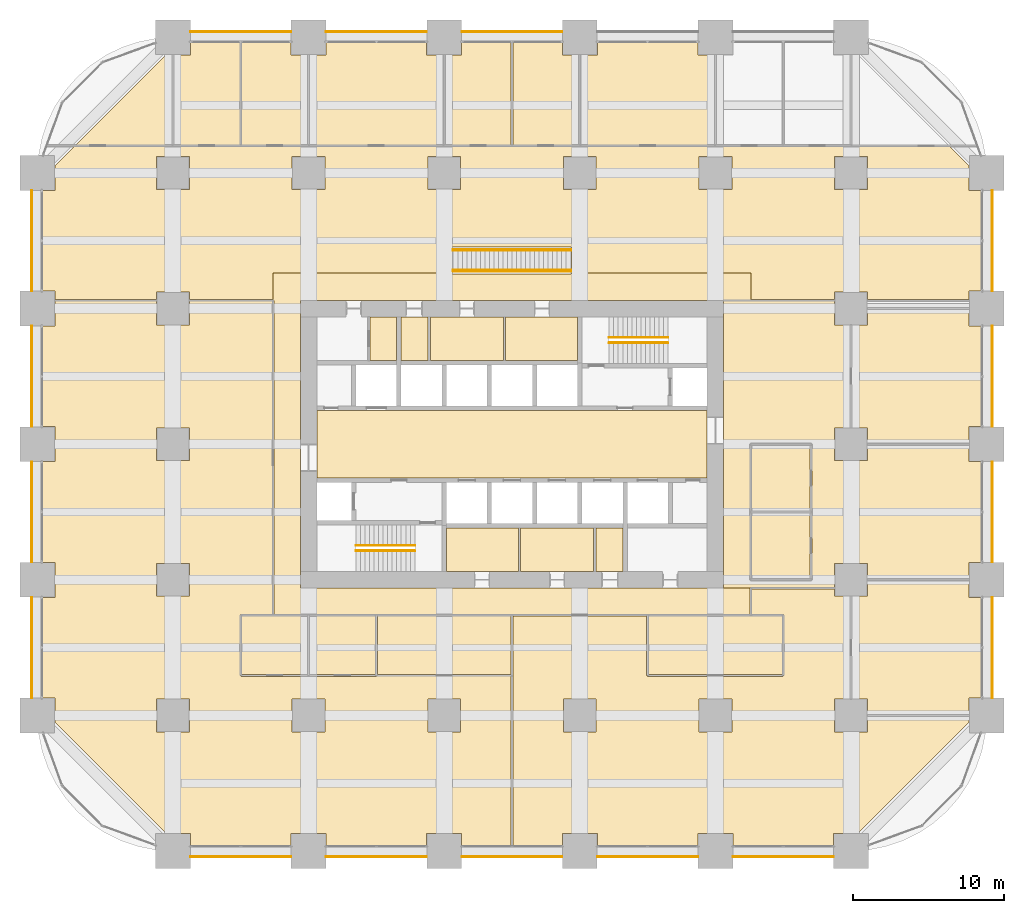
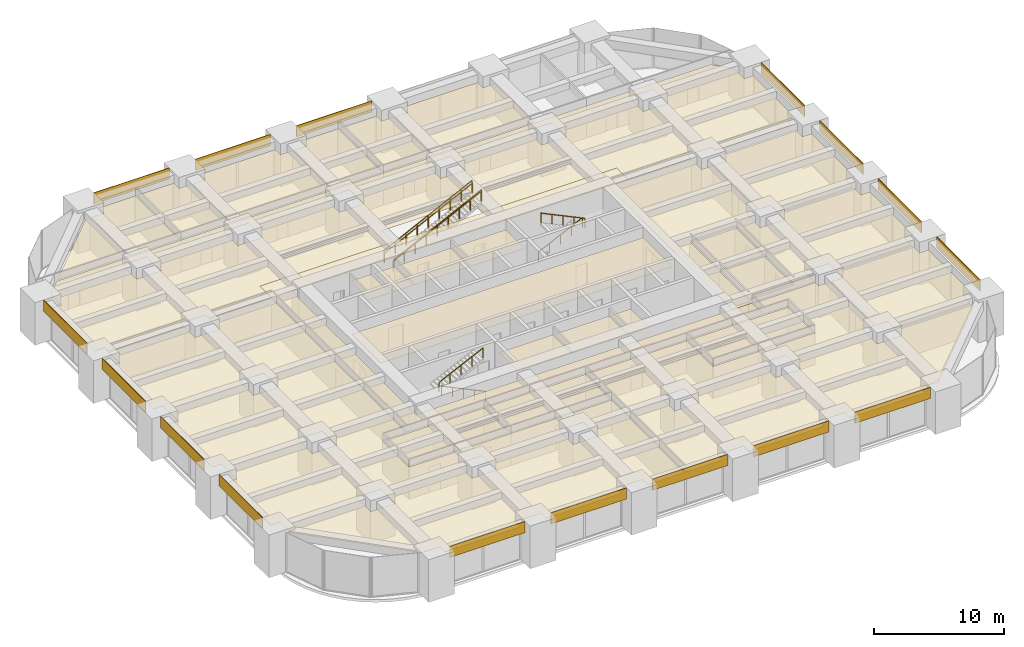
# One storey, part 43 of 44: 44 coverings, 8 railings.
"""IFC4 building model written with IfcOpenShell, lengths in metres."""

from ifc_helpers import new_model, si_unit, direction, frame, frame_2d, origin, origin_2d, place, context, subcontext, project, spatial, polyline, rectangle, circle, outline, extrude, material, layer, layer_set, type_object, element, save


model = new_model("IFC4")

# Units and contexts
model_context = context("Model", 3, precision=1e-05, world=origin(), true_north=direction((0.0, 1.0)))
body_context = subcontext(model_context, "Body", "Model", "MODEL_VIEW")
ifc_project = project(units=[si_unit("LENGTHUNIT", "METRE"), si_unit("AREAUNIT", "SQUARE_METRE"), si_unit("VOLUMEUNIT", "CUBIC_METRE"), si_unit("PLANEANGLEUNIT", "RADIAN"), si_unit("MASSUNIT", "GRAM", prefix="KILO")], contexts=[model_context])

# Site, building, storey
site_placement = place(None, origin())
site = spatial("IfcSite", under=ifc_project, at=site_placement, CompositionType="ELEMENT")
building_placement = place(site_placement, origin())
building = spatial("IfcBuilding", under=site, at=building_placement, Name="Zorevar Civic Tower", CompositionType="ELEMENT")
storey_placement = place(building_placement, frame((0.0, 0.0, 59.800048828125)))
storey = spatial("IfcBuildingStorey", under=building, at=storey_placement, Name="L14", CompositionType="ELEMENT", Elevation=59.800048828125)

# Railings
ifc_material_1 = material(Name="Laminated glass balustrade with black steel handrail", Category="steel")
railing_type_1 = type_object("IfcRailingType", Name="Balustrade BL1 1100", PredefinedType="BALUSTRADE", material=ifc_material_1)
for number, where, name in (
    (1, (27.60009765625, 38.47998046875, 0.148193359375), "Balustrade BL1 interconnecting stair L14"),
    (2, (27.60009765625, 39.919921875, 0.148193359375), "Balustrade BL1 interconnecting stair L14"),
):
    element("IfcRailing", number, at=place(storey_placement, frame(where)), inside=storey, type_object=railing_type_1, Name=name, PredefinedType="BALUSTRADE", context=body_context, shape_type="SweptSolid", body=[
        extrude(circle(Radius=0.02392578125, at=origin_2d()), frame((0.0, 0.0, 1.076171875), z_axis=(0.896627794226, 0.0, 0.442785047875), x_axis=(0.0, 1.0, 0.0)), (0.0, 0.0, 1.0), 8.698974609375),
        extrude(circle(Radius=0.02099609375, at=origin_2d()), origin(), (0.0, 0.0, 1.0), 1.052001953125),
        extrude(circle(Radius=0.02099609375, at=origin_2d()), frame((0.97509765625, 0.0, 0.4814453125)), (0.0, 0.0, 1.0), 1.052001953125),
        extrude(circle(Radius=0.02099609375, at=origin_2d()), frame((1.949951171875, 0.0, 0.962890625)), (0.0, 0.0, 1.0), 1.052001953125),
        extrude(circle(Radius=0.02099609375, at=origin_2d()), frame((2.9248046875, 0.0, 1.4443359375)), (0.0, 0.0, 1.0), 1.052001953125),
        extrude(circle(Radius=0.02099609375, at=origin_2d()), frame((3.89990234375, 0.0, 1.92578125)), (0.0, 0.0, 1.0), 1.052001953125),
        extrude(circle(Radius=0.02099609375, at=origin_2d()), frame((4.875, 0.0, 2.407470703125)), (0.0, 0.0, 1.0), 1.052001953125),
        extrude(circle(Radius=0.02099609375, at=origin_2d()), frame((5.849853515625, 0.0, 2.888916015625)), (0.0, 0.0, 1.0), 1.052001953125),
        extrude(circle(Radius=0.02099609375, at=origin_2d()), frame((6.82470703125, 0.0, 3.370361328125)), (0.0, 0.0, 1.0), 1.052001953125),
        extrude(circle(Radius=0.02099609375, at=origin_2d()), frame((7.7998046875, 0.0, 3.851806640625)), (0.0, 0.0, 1.0), 1.052001953125),
    ])
ifc_material_2 = material(Name="Black steel handrail", Category="steel")
railing_type_2 = type_object("IfcRailingType", Name="Handrail HR1 900", PredefinedType="HANDRAIL", material=ifc_material_2)
railing_1_placement = place(storey_placement, frame((25.050048828125, 19.925048828125, 0.142822265625)))
element("IfcRailing", 3, at=railing_1_placement, inside=storey, type_object=railing_type_2, Name="Handrail HR1 ST1 L14", PredefinedType="HANDRAIL", context=body_context, shape_type="SweptSolid", body=[
    extrude(circle(Radius=0.02392578125, at=origin_2d()), frame((0.0, 0.0, 0.8759765625), z_axis=(-0.902863652845, 0.0, 0.429926998885), x_axis=(0.0, -1.0, 0.0)), (0.0, 0.0, 1.0), 4.31982421875),
    extrude(circle(Radius=0.02099609375, at=origin_2d()), origin(), (0.0, 0.0, 1.0), 0.851806640625),
    extrude(circle(Radius=0.02099609375, at=origin_2d()), frame((-0.97509765625, 0.0, 0.46435546875)), (0.0, 0.0, 1.0), 0.851806640625),
    extrude(circle(Radius=0.02099609375, at=origin_2d()), frame((-1.9501953125, 0.0, 0.9287109375)), (0.0, 0.0, 1.0), 0.851806640625),
    extrude(circle(Radius=0.02099609375, at=origin_2d()), frame((-2.925048828125, 0.0, 1.392822265625)), (0.0, 0.0, 1.0), 0.851806640625),
    extrude(circle(Radius=0.02099609375, at=origin_2d()), frame((-3.900146484375, 0.0, 1.857177734375)), (0.0, 0.0, 1.0), 0.851806640625),
])
for number, where, name in (
    (4, (21.14990234375, 20.27490234375, 2.142822265625), "Handrail HR1 ST1 L14"),
    (5, (37.949951171875, 34.074951171875, 0.142822265625), "Handrail HR1 ST2 L14"),
):
    element("IfcRailing", number, at=place(storey_placement, frame(where)), inside=storey, type_object=railing_type_2, Name=name, PredefinedType="HANDRAIL", context=body_context, shape_type="SweptSolid", body=[
        extrude(circle(Radius=0.02392578125, at=origin_2d()), frame((0.0, 0.0, 0.8759765625), z_axis=(0.902863652845, 0.0, 0.429926998885), x_axis=(0.0, 1.0, 0.0)), (0.0, 0.0, 1.0), 4.31982421875),
        extrude(circle(Radius=0.02099609375, at=origin_2d()), origin(), (0.0, 0.0, 1.0), 0.851806640625),
        extrude(circle(Radius=0.02099609375, at=origin_2d()), frame((0.97509765625, 0.0, 0.46435546875)), (0.0, 0.0, 1.0), 0.851806640625),
        extrude(circle(Radius=0.02099609375, at=origin_2d()), frame((1.9501953125, 0.0, 0.9287109375)), (0.0, 0.0, 1.0), 0.851806640625),
        extrude(circle(Radius=0.02099609375, at=origin_2d()), frame((2.925048828125, 0.0, 1.392822265625)), (0.0, 0.0, 1.0), 0.851806640625),
        extrude(circle(Radius=0.02099609375, at=origin_2d()), frame((3.900146484375, 0.0, 1.857177734375)), (0.0, 0.0, 1.0), 0.851806640625),
    ])
railing_2_placement = place(storey_placement, frame((41.85009765625, 33.72509765625, 2.142822265625)))
element("IfcRailing", 6, at=railing_2_placement, inside=storey, type_object=railing_type_2, Name="Handrail HR1 ST2 L14", PredefinedType="HANDRAIL", context=body_context, shape_type="SweptSolid", body=[
    extrude(circle(Radius=0.02392578125, at=origin_2d()), frame((0.0, 0.0, 0.8759765625), z_axis=(-0.902863652845, 0.0, 0.429926998885), x_axis=(0.0, -1.0, 0.0)), (0.0, 0.0, 1.0), 4.31982421875),
    extrude(circle(Radius=0.02099609375, at=origin_2d()), origin(), (0.0, 0.0, 1.0), 0.851806640625),
    extrude(circle(Radius=0.02099609375, at=origin_2d()), frame((-0.97509765625, 0.0, 0.46435546875)), (0.0, 0.0, 1.0), 0.851806640625),
    extrude(circle(Radius=0.02099609375, at=origin_2d()), frame((-1.9501953125, 0.0, 0.9287109375)), (0.0, 0.0, 1.0), 0.851806640625),
    extrude(circle(Radius=0.02099609375, at=origin_2d()), frame((-2.925048828125, 0.0, 1.392822265625)), (0.0, 0.0, 1.0), 0.851806640625),
    extrude(circle(Radius=0.02099609375, at=origin_2d()), frame((-3.900146484375, 0.0, 1.857177734375)), (0.0, 0.0, 1.0), 0.851806640625),
])
for number, where, name in (
    (7, (27.60009765625, 38.550048828125, 0.148193359375), "Handrail HR1 interconnecting stair L14"),
    (8, (27.60009765625, 39.85009765625, 0.148193359375), "Handrail HR1 interconnecting stair L14"),
):
    element("IfcRailing", number, at=place(storey_placement, frame(where)), inside=storey, type_object=railing_type_2, Name=name, PredefinedType="HANDRAIL", context=body_context, shape_type="SweptSolid", body=[
        extrude(circle(Radius=0.02392578125, at=origin_2d()), frame((0.0, 0.0, 0.8759765625), z_axis=(0.896627794226, 0.0, 0.442785047875), x_axis=(0.0, 1.0, 0.0)), (0.0, 0.0, 1.0), 8.698974609375),
        extrude(circle(Radius=0.02099609375, at=origin_2d()), origin(), (0.0, 0.0, 1.0), 0.851806640625),
        extrude(circle(Radius=0.02099609375, at=origin_2d()), frame((0.97509765625, 0.0, 0.4814453125)), (0.0, 0.0, 1.0), 0.851806640625),
        extrude(circle(Radius=0.02099609375, at=origin_2d()), frame((1.949951171875, 0.0, 0.962890625)), (0.0, 0.0, 1.0), 0.851806640625),
        extrude(circle(Radius=0.02099609375, at=origin_2d()), frame((2.9248046875, 0.0, 1.4443359375)), (0.0, 0.0, 1.0), 0.851806640625),
        extrude(circle(Radius=0.02099609375, at=origin_2d()), frame((3.89990234375, 0.0, 1.92578125)), (0.0, 0.0, 1.0), 0.851806640625),
        extrude(circle(Radius=0.02099609375, at=origin_2d()), frame((4.875, 0.0, 2.407470703125)), (0.0, 0.0, 1.0), 0.851806640625),
        extrude(circle(Radius=0.02099609375, at=origin_2d()), frame((5.849853515625, 0.0, 2.888916015625)), (0.0, 0.0, 1.0), 0.851806640625),
        extrude(circle(Radius=0.02099609375, at=origin_2d()), frame((6.82470703125, 0.0, 3.370361328125)), (0.0, 0.0, 1.0), 0.851806640625),
        extrude(circle(Radius=0.02099609375, at=origin_2d()), frame((7.7998046875, 0.0, 3.851806640625)), (0.0, 0.0, 1.0), 0.851806640625),
    ])

# Coverings
ifc_material_3 = material(Name="Moisture-resistant gypsum board")
ifc_layer_1 = layer(ifc_material_3, 0.012451171875)
ifc_layer_set_1 = layer_set([ifc_layer_1], Name="Moisture-resistant ceiling SC3")
covering_type_1 = type_object("IfcCoveringType", Name="Moisture-resistant ceiling SC3", PredefinedType="CEILING", material=ifc_layer_set_1)
covering_1_placement = place(storey_placement, frame((0.0, 0.0, 3.0)))
element("IfcCovering", 9, at=covering_1_placement, inside=storey, type_object=covering_type_1, Name="Ceiling L14-05", PredefinedType="CEILING", context=body_context, shape_type="SweptSolid", body=[
    extrude(outline(polyline([(31.925048828125, 18.550048828125), (31.925048828125, 21.449951171875), (27.14990234375, 21.449951171875), (27.14990234375, 18.550048828125), (31.925048828125, 18.550048828125)])), origin(), (0.0, 0.0, 1.0), 0.012451171875),
])
covering_2_placement = place(storey_placement, frame((0.0, 0.0, 3.0)))
element("IfcCovering", 10, at=covering_2_placement, inside=storey, type_object=covering_type_1, Name="Ceiling L14-06", PredefinedType="CEILING", context=body_context, shape_type="SweptSolid", body=[
    extrude(outline(polyline([(36.925048828125, 18.550048828125), (36.925048828125, 21.449951171875), (32.074951171875, 21.449951171875), (32.074951171875, 18.550048828125), (36.925048828125, 18.550048828125)])), origin(), (0.0, 0.0, 1.0), 0.012451171875),
])
covering_3_placement = place(storey_placement, frame((0.0, 0.0, 3.0)))
element("IfcCovering", 11, at=covering_3_placement, inside=storey, type_object=covering_type_1, Name="Ceiling L14-07", PredefinedType="CEILING", context=body_context, shape_type="SweptSolid", body=[
    extrude(outline(polyline([(38.85009765625, 18.550048828125), (38.85009765625, 21.449951171875), (37.074951171875, 21.449951171875), (37.074951171875, 18.550048828125), (38.85009765625, 18.550048828125)])), origin(), (0.0, 0.0, 1.0), 0.012451171875),
])
covering_4_placement = place(storey_placement, frame((0.0, 0.0, 3.0)))
element("IfcCovering", 12, at=covering_4_placement, inside=storey, type_object=covering_type_1, Name="Ceiling L14-08", PredefinedType="CEILING", context=body_context, shape_type="SweptSolid", body=[
    extrude(outline(polyline([(35.85009765625, 32.550048828125), (35.85009765625, 35.449951171875), (31.074951171875, 35.449951171875), (31.074951171875, 32.550048828125), (35.85009765625, 32.550048828125)])), origin(), (0.0, 0.0, 1.0), 0.012451171875),
])
covering_5_placement = place(storey_placement, frame((0.0, 0.0, 3.0)))
element("IfcCovering", 13, at=covering_5_placement, inside=storey, type_object=covering_type_1, Name="Ceiling L14-09", PredefinedType="CEILING", context=body_context, shape_type="SweptSolid", body=[
    extrude(outline(polyline([(30.925048828125, 32.550048828125), (30.925048828125, 35.449951171875), (26.074951171875, 35.449951171875), (26.074951171875, 32.550048828125), (30.925048828125, 32.550048828125)])), origin(), (0.0, 0.0, 1.0), 0.012451171875),
])
covering_6_placement = place(storey_placement, frame((0.0, 0.0, 3.0)))
element("IfcCovering", 14, at=covering_6_placement, inside=storey, type_object=covering_type_1, Name="Ceiling L14-10", PredefinedType="CEILING", context=body_context, shape_type="SweptSolid", body=[
    extrude(outline(polyline([(25.925048828125, 32.550048828125), (25.925048828125, 35.449951171875), (24.14990234375, 35.449951171875), (24.14990234375, 32.550048828125), (25.925048828125, 32.550048828125)])), origin(), (0.0, 0.0, 1.0), 0.012451171875),
])
ifc_material_4 = material(Name="Black anodised aluminium spandrel panel", Category="aluminium")
ifc_layer_2 = layer(ifc_material_4, 0.050048828125)
ifc_layer_set_2 = layer_set([ifc_layer_2], Name="Spandrel cladding SP1")
covering_type_2 = type_object("IfcCoveringType", Name="Spandrel cladding SP1", PredefinedType="CLADDING", material=ifc_layer_set_2)
for number, where, z_axis, x_axis, name in (
    (15, (10.14990234375, -0.375, 2.949951171875), (0.0, 0.0, 1.0), (1.0, 0.0, 0.0), "Spandrel cladding L15"),
    (16, (19.14990234375, -0.375, 2.949951171875), (0.0, 0.0, 1.0), (1.0, 0.0, 0.0), "Spandrel cladding L15"),
    (17, (28.14990234375, -0.375, 2.949951171875), (0.0, 0.0, 1.0), (1.0, 0.0, 0.0), "Spandrel cladding L15"),
    (18, (37.14990234375, -0.375, 2.949951171875), (0.0, 0.0, 1.0), (1.0, 0.0, 0.0), "Spandrel cladding L15"),
    (19, (46.14990234375, -0.375, 2.949951171875), (0.0, 0.0, 1.0), (1.0, 0.0, 0.0), "Spandrel cladding L15"),
    (20, (10.14990234375, 54.375, 2.949951171875), (0.0, 0.0, 1.0), (1.0, 0.0, 0.0), "Spandrel cladding L15"),
    (21, (19.14990234375, 54.375, 2.949951171875), (0.0, 0.0, 1.0), (1.0, 0.0, 0.0), "Spandrel cladding L15"),
    (22, (28.14990234375, 54.375, 2.949951171875), (0.0, 0.0, 1.0), (1.0, 0.0, 0.0), "Spandrel cladding L15"),
    (23, (-0.375, 10.14990234375, 2.949951171875), (0.0, 0.0, 1.0), (0.0, 1.0, 0.0), "Spandrel cladding L15"),
    (24, (-0.375, 19.14990234375, 2.949951171875), (0.0, 0.0, 1.0), (0.0, 1.0, 0.0), "Spandrel cladding L15"),
    (25, (-0.375, 28.14990234375, 2.949951171875), (0.0, 0.0, 1.0), (0.0, 1.0, 0.0), "Spandrel cladding L15"),
    (26, (-0.375, 37.14990234375, 2.949951171875), (0.0, 0.0, 1.0), (0.0, 1.0, 0.0), "Spandrel cladding L15"),
    (27, (63.375, 10.14990234375, 2.949951171875), (0.0, 0.0, 1.0), (0.0, 1.0, 0.0), "Spandrel cladding L15"),
    (28, (63.375, 19.14990234375, 2.949951171875), (0.0, 0.0, 1.0), (0.0, 1.0, 0.0), "Spandrel cladding L15"),
    (29, (63.375, 28.14990234375, 2.949951171875), (0.0, 0.0, 1.0), (0.0, 1.0, 0.0), "Spandrel cladding L15"),
    (30, (63.375, 37.14990234375, 2.949951171875), (0.0, 0.0, 1.0), (0.0, 1.0, 0.0), "Spandrel cladding L15"),
):
    element("IfcCovering", number, at=place(storey_placement, frame(where, z_axis=z_axis, x_axis=x_axis)), inside=storey, type_object=covering_type_2, Name=name, PredefinedType="CLADDING", context=body_context, shape_type="SweptSolid", body=[
        extrude(rectangle(XDim=6.7001953125, YDim=0.050048828125, at=frame_2d((3.35009765625, 0.0))), origin(), (0.0, 0.0, 1.0), 1.050048828125),
    ])
ifc_material_5 = material(Name="Mineral fibre tiles on a concealed grid")
ifc_layer_3 = layer(ifc_material_5, 0.02001953125)
ifc_layer_set_3 = layer_set([ifc_layer_3], Name="Suspended ceiling SC1")
covering_type_3 = type_object("IfcCoveringType", Name="Suspended ceiling SC1", PredefinedType="CEILING", material=ifc_layer_set_3)
covering_7_placement = place(storey_placement, frame((0.0, 0.0, 3.0)))
element("IfcCovering", 31, at=covering_7_placement, inside=storey, type_object=covering_type_3, Name="Ceiling L14-12", PredefinedType="CEILING", context=body_context, shape_type="SweptSolid", body=[
    extrude(outline(polyline([(23.85009765625, 32.550048828125), (23.85009765625, 35.449951171875), (22.06005859375, 35.449951171875), (22.06005859375, 32.550048828125), (23.85009765625, 32.550048828125)])), origin(), (0.0, 0.0, 1.0), 0.02001953125),
])
covering_8_placement = place(storey_placement, frame((0.0, 0.0, 3.0)))
element("IfcCovering", 32, at=covering_8_placement, inside=storey, type_object=covering_type_3, Name="Ceiling L14-16", PredefinedType="CEILING", context=body_context, shape_type="SweptSolid", body=[
    extrude(outline(polyline([(44.449951171875, 24.75), (44.449951171875, 29.25), (18.550048828125, 29.25), (18.550048828125, 24.75), (44.449951171875, 24.75)])), origin(), (0.0, 0.0, 1.0), 0.02001953125),
])
covering_9_placement = place(storey_placement, frame((0.0, 0.0, 3.0)))
element("IfcCovering", 33, at=covering_9_placement, inside=storey, type_object=covering_type_3, Name="Ceiling L14-17", PredefinedType="CEILING", context=body_context, shape_type="SweptSolid", body=[
    extrude(outline(polyline([(9.06005859375, 46.860107421875), (9.06005859375, 52.840087890625), (10.159912109375, 52.840087890625), (10.159912109375, 53.64990234375), (13.43994140625, 53.64990234375), (13.43994140625, 46.860107421875), (9.06005859375, 46.860107421875)])), origin(), (0.0, 0.0, 1.0), 0.02001953125),
])
covering_10_placement = place(storey_placement, frame((0.0, 0.0, 3.0)))
element("IfcCovering", 34, at=covering_10_placement, inside=storey, type_object=covering_type_3, Name="Ceiling L14-18", PredefinedType="CEILING", context=body_context, shape_type="SweptSolid", body=[
    extrude(outline(polyline([(13.56005859375, 46.860107421875), (13.56005859375, 53.64990234375), (16.840087890625, 53.64990234375), (16.840087890625, 52.840087890625), (17.93994140625, 52.840087890625), (17.93994140625, 46.860107421875), (13.56005859375, 46.860107421875)])), origin(), (0.0, 0.0, 1.0), 0.02001953125),
])
covering_11_placement = place(storey_placement, frame((0.0, 0.0, 3.0)))
element("IfcCovering", 35, at=covering_11_placement, inside=storey, type_object=covering_type_3, Name="Ceiling L14-19", PredefinedType="CEILING", context=body_context, shape_type="SweptSolid", body=[
    extrude(outline(polyline([(19.159912109375, 52.840087890625), (19.159912109375, 53.64990234375), (25.840087890625, 53.64990234375), (25.840087890625, 52.840087890625), (26.93994140625, 52.840087890625), (26.93994140625, 46.860107421875), (18.06005859375, 46.860107421875), (18.06005859375, 52.840087890625), (19.159912109375, 52.840087890625)])), origin(), (0.0, 0.0, 1.0), 0.02001953125),
])
covering_12_placement = place(storey_placement, frame((0.0, 0.0, 3.0)))
element("IfcCovering", 36, at=covering_12_placement, inside=storey, type_object=covering_type_3, Name="Ceiling L14-20", PredefinedType="CEILING", context=body_context, shape_type="SweptSolid", body=[
    extrude(outline(polyline([(27.06005859375, 46.860107421875), (27.06005859375, 52.840087890625), (28.159912109375, 52.840087890625), (28.159912109375, 53.64990234375), (31.43994140625, 53.64990234375), (31.43994140625, 46.860107421875), (27.06005859375, 46.860107421875)])), origin(), (0.0, 0.0, 1.0), 0.02001953125),
])
covering_13_placement = place(storey_placement, frame((0.0, 0.0, 3.0)))
element("IfcCovering", 37, at=covering_13_placement, inside=storey, type_object=covering_type_3, Name="Ceiling L14-21", PredefinedType="CEILING", context=body_context, shape_type="SweptSolid", body=[
    extrude(outline(polyline([(31.56005859375, 46.860107421875), (31.56005859375, 53.64990234375), (34.840087890625, 53.64990234375), (34.840087890625, 52.840087890625), (35.93994140625, 52.840087890625), (35.93994140625, 46.860107421875), (31.56005859375, 46.860107421875)])), origin(), (0.0, 0.0, 1.0), 0.02001953125),
])
covering_14_placement = place(storey_placement, frame((0.0, 0.0, 3.0)))
element("IfcCovering", 38, at=covering_14_placement, inside=storey, type_object=covering_type_3, Name="Ceiling L14-22", PredefinedType="CEILING", context=body_context, shape_type="SweptSolid", body=[
    extrude(outline(polyline([(37.159912109375, 52.840087890625), (37.159912109375, 53.64990234375), (43.840087890625, 53.64990234375), (43.840087890625, 52.840087890625), (44.93994140625, 52.840087890625), (44.93994140625, 46.860107421875), (36.06005859375, 46.860107421875), (36.06005859375, 52.840087890625), (37.159912109375, 52.840087890625)])), origin(), (0.0, 0.0, 1.0), 0.02001953125),
])
covering_15_placement = place(storey_placement, frame((0.0, 0.0, 3.0)))
element("IfcCovering", 39, at=covering_15_placement, inside=storey, type_object=covering_type_3, Name="Ceiling L14-25", PredefinedType="CEILING", context=body_context, shape_type="SweptSolid", body=[
    extrude(outline(polyline([(8.93994140625, 52.840087890625), (8.93994140625, 46.860107421875), (2.567138671875, 46.860107421875), (8.547119140625, 52.840087890625), (8.93994140625, 52.840087890625)])), origin(), (0.0, 0.0, 1.0), 0.02001953125),
])
covering_16_placement = place(storey_placement, frame((0.0, 0.0, 3.0)))
element("IfcCovering", 40, at=covering_16_placement, inside=storey, type_object=covering_type_3, Name="Ceiling L14-27", PredefinedType="CEILING", context=body_context, shape_type="SweptSolid", body=[
    extrude(outline(polyline([(17.93994140625, 11.7099609375), (13.56005859375, 11.7099609375), (13.56005859375, 15.590087890625), (17.93994140625, 15.590087890625), (17.93994140625, 11.7099609375)])), origin(), (0.0, 0.0, 1.0), 0.02001953125),
])
covering_17_placement = place(storey_placement, frame((0.0, 0.0, 3.0)))
element("IfcCovering", 41, at=covering_17_placement, inside=storey, type_object=covering_type_3, Name="Ceiling L14-28", PredefinedType="CEILING", context=body_context, shape_type="SweptSolid", body=[
    extrude(outline(polyline([(22.43994140625, 11.7099609375), (18.06005859375, 11.7099609375), (18.06005859375, 15.590087890625), (22.43994140625, 15.590087890625), (22.43994140625, 11.7099609375)])), origin(), (0.0, 0.0, 1.0), 0.02001953125),
])
covering_18_placement = place(storey_placement, frame((0.0, 0.0, 3.0)))
element("IfcCovering", 42, at=covering_18_placement, inside=storey, type_object=covering_type_3, Name="Ceiling L14-29", PredefinedType="CEILING", context=body_context, shape_type="SweptSolid", body=[
    extrude(outline(polyline([(22.56005859375, 11.699951171875), (22.56005859375, 15.590087890625), (31.43994140625, 15.590087890625), (31.43994140625, 11.699951171875), (22.56005859375, 11.699951171875)])), origin(), (0.0, 0.0, 1.0), 0.02001953125),
])
covering_19_placement = place(storey_placement, frame((0.0, 0.0, 3.0)))
element("IfcCovering", 43, at=covering_19_placement, inside=storey, type_object=covering_type_3, Name="Ceiling L14-30", PredefinedType="CEILING", context=body_context, shape_type="SweptSolid", body=[
    extrude(outline(polyline([(49.43994140625, 15.590087890625), (49.43994140625, 11.7099609375), (40.56005859375, 11.7099609375), (40.56005859375, 15.590087890625), (49.43994140625, 15.590087890625)])), origin(), (0.0, 0.0, 1.0), 0.02001953125),
])
covering_20_placement = place(storey_placement, frame((0.0, 0.0, 3.0)))
element("IfcCovering", 44, at=covering_20_placement, inside=storey, type_object=covering_type_3, Name="Ceiling L14-31", PredefinedType="CEILING", context=body_context, shape_type="SweptSolid", body=[
    extrude(outline(polyline([(47.409912109375, 22.43994140625), (51.2900390625, 22.43994140625), (51.2900390625, 18.06005859375), (47.409912109375, 18.06005859375), (47.409912109375, 22.43994140625)])), origin(), (0.0, 0.0, 1.0), 0.02001953125),
])
covering_21_placement = place(storey_placement, frame((0.0, 0.0, 3.0)))
element("IfcCovering", 45, at=covering_21_placement, inside=storey, type_object=covering_type_3, Name="Ceiling L14-32", PredefinedType="CEILING", context=body_context, shape_type="SweptSolid", body=[
    extrude(outline(polyline([(47.409912109375, 22.56005859375), (47.409912109375, 26.93994140625), (51.2900390625, 26.93994140625), (51.2900390625, 22.56005859375), (47.409912109375, 22.56005859375)])), origin(), (0.0, 0.0, 1.0), 0.02001953125),
])
covering_22_placement = place(storey_placement, frame((0.0, 0.0, 3.0)))
element("IfcCovering", 46, at=covering_22_placement, inside=storey, type_object=covering_type_3, Name="Ceiling L14-33", PredefinedType="CEILING", context=body_context, shape_type="SweptSolid", body=[
    extrude(outline(polyline([(62.64990234375, 10.159912109375), (61.840087890625, 10.159912109375), (61.840087890625, 9.06005859375), (55.0849609375, 9.06005859375), (55.0849609375, 10.0849609375), (54.06005859375, 10.0849609375), (54.06005859375, 16.9150390625), (55.0849609375, 16.9150390625), (55.0849609375, 17.93994140625), (61.840087890625, 17.93994140625), (61.840087890625, 16.840087890625), (62.64990234375, 16.840087890625), (62.64990234375, 10.159912109375)])), origin(), (0.0, 0.0, 1.0), 0.02001953125),
])
covering_23_placement = place(storey_placement, frame((0.0, 0.0, 3.0)))
element("IfcCovering", 47, at=covering_23_placement, inside=storey, type_object=covering_type_3, Name="Ceiling L14-34", PredefinedType="CEILING", context=body_context, shape_type="SweptSolid", body=[
    extrude(outline(polyline([(62.64990234375, 28.159912109375), (61.840087890625, 28.159912109375), (61.840087890625, 27.06005859375), (55.0849609375, 27.06005859375), (55.0849609375, 28.0849609375), (54.06005859375, 28.0849609375), (54.06005859375, 34.9150390625), (55.0849609375, 34.9150390625), (55.0849609375, 35.93994140625), (61.840087890625, 35.93994140625), (61.840087890625, 34.840087890625), (62.64990234375, 34.840087890625), (62.64990234375, 28.159912109375)])), origin(), (0.0, 0.0, 1.0), 0.02001953125),
])
covering_24_placement = place(storey_placement, frame((0.0, 0.0, 3.0)))
element("IfcCovering", 48, at=covering_24_placement, inside=storey, type_object=covering_type_3, Name="Ceiling L14-35", PredefinedType="CEILING", context=body_context, shape_type="SweptSolid", body=[
    extrude(outline(polyline([(17.449951171875, 36.550048828125), (17.449951171875, 17.449951171875), (47.300048828125, 17.449951171875), (47.300048828125, 15.7099609375), (40.5, 15.7099609375), (40.5, 15.699951171875), (31.5, 15.699951171875), (31.5, 15.7099609375), (15.699951171875, 15.7099609375), (15.699951171875, 36.550048828125), (15.64990234375, 36.550048828125), (15.64990234375, 38.35009765625), (27.5, 38.35009765625), (27.5, 38.300048828125), (35.39990234375, 38.300048828125), (35.39990234375, 38.35009765625), (47.35009765625, 38.35009765625), (47.35009765625, 36.550048828125), (17.449951171875, 36.550048828125)])), origin(), (0.0, 0.0, 1.0), 0.02001953125),
])
covering_25_placement = place(storey_placement, frame((0.0, 0.0, 3.0)))
element("IfcCovering", 49, at=covering_25_placement, inside=storey, type_object=covering_type_3, Name="Ceiling L14-36", PredefinedType="CEILING", context=body_context, shape_type="SweptSolid", body=[
    extrude(outline(polyline([(62.64990234375, 19.159912109375), (61.840087890625, 19.159912109375), (61.840087890625, 18.06005859375), (55.0849609375, 18.06005859375), (55.0849609375, 19.0849609375), (52.9150390625, 19.0849609375), (52.9150390625, 17.5), (47.35009765625, 17.5), (47.35009765625, 17.449951171875), (45.550048828125, 17.449951171875), (45.550048828125, 36.550048828125), (47.35009765625, 36.550048828125), (47.35009765625, 36.5), (52.9150390625, 36.5), (52.9150390625, 34.9150390625), (53.93994140625, 34.9150390625), (53.93994140625, 28.0849609375), (52.9150390625, 28.0849609375), (52.9150390625, 25.9150390625), (55.0849609375, 25.9150390625), (55.0849609375, 26.93994140625), (61.840087890625, 26.93994140625), (61.840087890625, 25.840087890625), (62.64990234375, 25.840087890625), (62.64990234375, 19.159912109375)]), holes=[polyline([(47.35009765625, 27.0), (47.2900390625, 27.0), (47.2900390625, 18.0), (47.35009765625, 18.0), (47.35009765625, 17.93994140625), (51.35009765625, 17.93994140625), (51.35009765625, 18.0), (51.409912109375, 18.0), (51.409912109375, 27.0), (51.35009765625, 27.0), (51.35009765625, 27.06005859375), (47.35009765625, 27.06005859375), (47.35009765625, 27.0)])]), origin(), (0.0, 0.0, 1.0), 0.02001953125),
])
covering_26_placement = place(storey_placement, frame((0.0, 0.0, 3.0)))
element("IfcCovering", 50, at=covering_26_placement, inside=storey, type_object=covering_type_3, Name="Ceiling L14-37", PredefinedType="CEILING", context=body_context, shape_type="SweptSolid", body=[
    extrude(outline(polyline([(7.9150390625, 37.0849609375), (7.9150390625, 36.60009765625), (1.159912109375, 36.60009765625), (1.159912109375, 37.159912109375), (0.35009765625, 37.159912109375), (0.35009765625, 43.840087890625), (1.159912109375, 43.840087890625), (1.159912109375, 45.452880859375), (2.447021484375, 46.739990234375), (54.0, 46.739990234375), (54.0, 46.75), (60.54296875, 46.75), (61.840087890625, 45.452880859375), (61.840087890625, 43.840087890625), (62.64990234375, 43.840087890625), (62.64990234375, 37.159912109375), (61.840087890625, 37.159912109375), (61.840087890625, 36.60009765625), (55.0849609375, 36.60009765625), (55.0849609375, 37.0849609375), (52.9150390625, 37.0849609375), (52.9150390625, 36.60009765625), (47.35009765625, 36.60009765625), (47.35009765625, 38.35009765625), (35.39990234375, 38.35009765625), (35.39990234375, 40.10009765625), (27.5, 40.10009765625), (27.5, 38.35009765625), (15.64990234375, 38.35009765625), (15.64990234375, 36.60009765625), (10.0849609375, 36.60009765625), (10.0849609375, 37.0849609375), (7.9150390625, 37.0849609375)]), holes=[polyline([(10.0849609375, 43.9150390625), (10.0849609375, 46.0849609375), (7.9150390625, 46.0849609375), (7.9150390625, 43.9150390625), (10.0849609375, 43.9150390625)]), polyline([(16.9150390625, 43.9150390625), (19.0849609375, 43.9150390625), (19.0849609375, 46.0849609375), (16.9150390625, 46.0849609375), (16.9150390625, 43.9150390625)]), polyline([(25.9150390625, 46.0849609375), (25.9150390625, 43.9150390625), (28.0849609375, 43.9150390625), (28.0849609375, 46.0849609375), (25.9150390625, 46.0849609375)]), polyline([(37.0849609375, 46.0849609375), (34.9150390625, 46.0849609375), (34.9150390625, 43.9150390625), (37.0849609375, 43.9150390625), (37.0849609375, 46.0849609375)]), polyline([(46.0849609375, 43.9150390625), (46.0849609375, 46.0849609375), (43.9150390625, 46.0849609375), (43.9150390625, 43.9150390625), (46.0849609375, 43.9150390625)]), polyline([(52.9150390625, 46.0849609375), (52.9150390625, 43.9150390625), (55.0849609375, 43.9150390625), (55.0849609375, 46.0849609375), (52.9150390625, 46.0849609375)])]), origin(), (0.0, 0.0, 1.0), 0.02001953125),
])
covering_27_placement = place(storey_placement, frame((0.0, 0.0, 3.0)))
element("IfcCovering", 51, at=covering_27_placement, inside=storey, type_object=covering_type_3, Name="Ceiling L14-38", PredefinedType="CEILING", context=body_context, shape_type="SweptSolid", body=[
    extrude(outline(polyline([(53.93994140625, 16.9150390625), (53.93994140625, 10.0849609375), (52.9150390625, 10.0849609375), (52.9150390625, 7.9150390625), (55.0849609375, 7.9150390625), (55.0849609375, 8.93994140625), (61.840087890625, 8.93994140625), (61.840087890625, 8.547119140625), (54.452880859375, 1.159912109375), (52.840087890625, 1.159912109375), (52.840087890625, 0.35009765625), (46.159912109375, 0.35009765625), (46.159912109375, 1.159912109375), (43.840087890625, 1.159912109375), (43.840087890625, 0.35009765625), (37.159912109375, 0.35009765625), (37.159912109375, 1.159912109375), (34.840087890625, 1.159912109375), (34.840087890625, 0.35009765625), (31.550048828125, 0.35009765625), (31.550048828125, 11.64990234375), (31.56005859375, 11.64990234375), (31.56005859375, 15.60009765625), (40.43994140625, 15.60009765625), (40.43994140625, 11.64990234375), (40.5, 11.64990234375), (40.5, 11.590087890625), (49.5, 11.590087890625), (49.5, 11.64990234375), (49.56005859375, 11.64990234375), (49.56005859375, 15.64990234375), (49.5, 15.64990234375), (49.5, 15.7099609375), (47.39990234375, 15.7099609375), (47.39990234375, 17.39990234375), (52.9150390625, 17.39990234375), (52.9150390625, 16.9150390625), (53.93994140625, 16.9150390625)]), holes=[polyline([(37.0849609375, 7.9150390625), (37.0849609375, 10.0849609375), (34.9150390625, 10.0849609375), (34.9150390625, 7.9150390625), (37.0849609375, 7.9150390625)]), polyline([(43.9150390625, 10.0849609375), (43.9150390625, 7.9150390625), (46.0849609375, 7.9150390625), (46.0849609375, 10.0849609375), (43.9150390625, 10.0849609375)])]), origin(), (0.0, 0.0, 1.0), 0.02001953125),
])
covering_28_placement = place(storey_placement, frame((0.0, 0.0, 3.0)))
element("IfcCovering", 52, at=covering_28_placement, inside=storey, type_object=covering_type_3, Name="Ceiling L14-39", PredefinedType="CEILING", context=body_context, shape_type="SweptSolid", body=[
    extrude(outline(polyline([(25.840087890625, 1.159912109375), (25.840087890625, 0.35009765625), (19.159912109375, 0.35009765625), (19.159912109375, 1.159912109375), (16.840087890625, 1.159912109375), (16.840087890625, 0.35009765625), (10.159912109375, 0.35009765625), (10.159912109375, 1.159912109375), (8.547119140625, 1.159912109375), (1.159912109375, 8.547119140625), (1.159912109375, 10.159912109375), (0.35009765625, 10.159912109375), (0.35009765625, 16.840087890625), (1.159912109375, 16.840087890625), (1.159912109375, 19.159912109375), (0.35107421875, 19.159912109375), (0.35107421875, 25.840087890625), (1.159912109375, 25.840087890625), (1.159912109375, 28.159912109375), (0.35107421875, 28.159912109375), (0.35107421875, 34.840087890625), (1.159912109375, 34.840087890625), (1.159912109375, 36.4990234375), (7.9150390625, 36.4990234375), (7.9150390625, 34.9150390625), (10.0849609375, 34.9150390625), (10.0849609375, 36.4990234375), (15.59912109375, 36.4990234375), (15.60009765625, 15.7099609375), (13.5009765625, 15.7099609375), (13.5, 15.64990234375), (13.440185546875, 15.6494140625), (13.43994140625, 11.65087890625), (13.5, 11.64990234375), (13.500732421875, 11.590087890625), (22.4990234375, 11.590087890625), (22.5, 11.60009765625), (31.449951171875, 11.60009765625), (31.449951171875, 0.35009765625), (28.159912109375, 0.35009765625), (28.159912109375, 1.159912109375), (25.840087890625, 1.159912109375)]), holes=[polyline([(10.0849609375, 10.0849609375), (7.9150390625, 10.0849609375), (7.9150390625, 7.9150390625), (10.0849609375, 7.9150390625), (10.0849609375, 10.0849609375)]), polyline([(10.0849609375, 16.9150390625), (10.0849609375, 19.0849609375), (7.9150390625, 19.0849609375), (7.9150390625, 16.9150390625), (10.0849609375, 16.9150390625)]), polyline([(7.9150390625, 25.9150390625), (10.0849609375, 25.9150390625), (10.0849609375, 28.0849609375), (7.9150390625, 28.0849609375), (7.9150390625, 25.9150390625)]), polyline([(19.0849609375, 7.9150390625), (19.0849609375, 10.0849609375), (16.9150390625, 10.0849609375), (16.9150390625, 7.9150390625), (19.0849609375, 7.9150390625)]), polyline([(25.9150390625, 10.0849609375), (25.9150390625, 7.9150390625), (28.0849609375, 7.9150390625), (28.0849609375, 10.0849609375), (25.9150390625, 10.0849609375)])]), origin(), (0.0, 0.0, 1.0), 0.02001953125),
])

save(model, "model.ifc")
